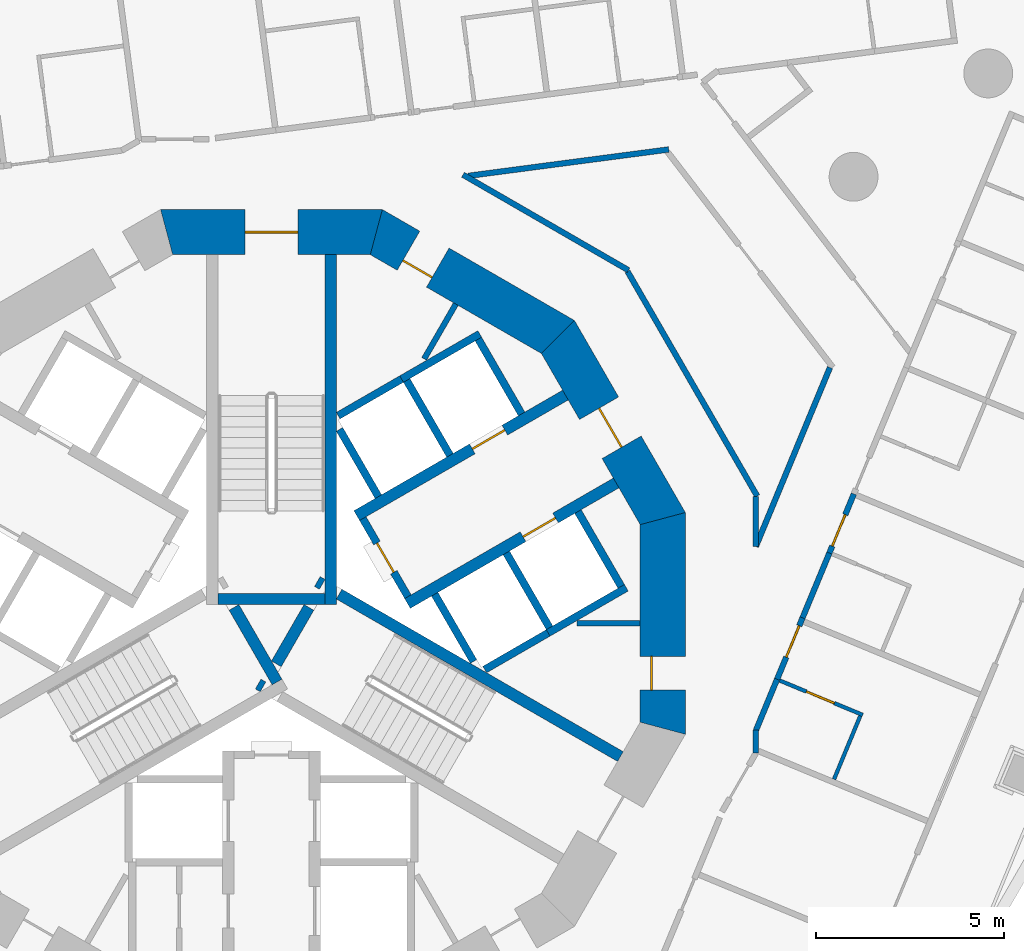
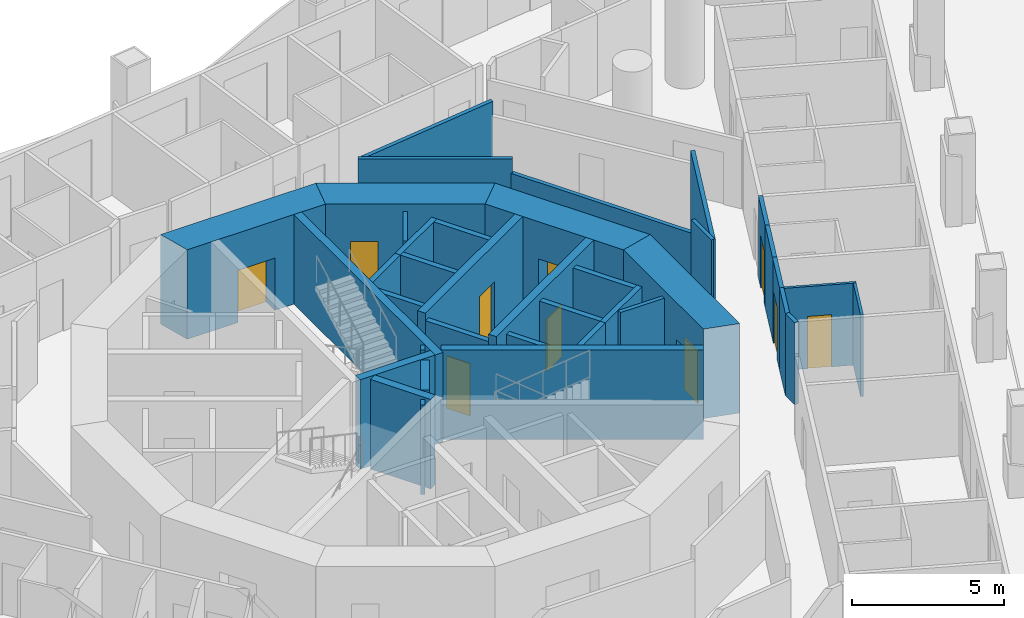
# One storey, part 9 of 20: 38 walls, 10 doors, 10 openings.
"""IFC4 building model written with IfcOpenShell, lengths in metres."""

from ifc_helpers import new_model, si_unit, direction, frame, frame_2d, origin, place, context, subcontext, project, spatial, polyline, rectangle, outline, extrude, material, layer, layer_set, type_object, element, fill, save


model = new_model("IFC4")

# Units and contexts
model_context = context("Model", 3, precision=1e-05, world=origin(), true_north=direction((0.0, 1.0)))
body_context = subcontext(model_context, "Body", "Model", "MODEL_VIEW")
ifc_project = project(units=[si_unit("LENGTHUNIT", "METRE"), si_unit("AREAUNIT", "SQUARE_METRE"), si_unit("VOLUMEUNIT", "CUBIC_METRE"), si_unit("PLANEANGLEUNIT", "RADIAN"), si_unit("MASSUNIT", "GRAM", prefix="KILO")], contexts=[model_context])

# Site, building, storey
site_placement = place(None, origin())
site = spatial("IfcSite", under=ifc_project, at=site_placement, CompositionType="ELEMENT")
building_placement = place(site_placement, origin())
building = spatial("IfcBuilding", under=site, at=building_placement, Name="Trine Commons Tower", CompositionType="ELEMENT")
storey_placement = place(building_placement, frame((0.0, 0.0, 50.39990234375)))
storey = spatial("IfcBuildingStorey", under=building, at=storey_placement, Name="L11", CompositionType="ELEMENT", Elevation=50.39990234375)

# Walls
ifc_material_1 = material(Name="Plasterboard partition on steel studs", Category="steel")
ifc_layer_1 = layer(ifc_material_1, 0.14990234375)
ifc_layer_set_1 = layer_set([ifc_layer_1], Name="Plasterboard partition on steel studs")
wall_type_1 = type_object("IfcWallType", Name="Core room partition 150 mm, EI 60", PredefinedType="PARTITIONING", material=ifc_layer_set_1)
wall_1_placement = place(storey_placement, frame((84.905029296875, 70.9970703125, 0.0), z_axis=(0.0, 0.0, 1.0), x_axis=(-0.500115728942, -0.865958577338, 0.0)))
element("IfcWall", 1, at=wall_1_placement, inside=storey, type_object=wall_type_1, Name="Core room partition L11", PredefinedType="PARTITIONING", context=body_context, shape_type="SweptSolid", body=[
    extrude(rectangle(XDim=1.68359375, YDim=0.14990234375, at=frame_2d((0.841796875, 0.0))), origin(), (0.0, 0.0, 1.0), 3.300048828125),
])
wall_2_placement = place(storey_placement, frame((89.81201171875, 62.5, 0.0), z_axis=(0.0, 0.0, 1.0), x_axis=(-1.0, 0.0, 0.0)))
element("IfcWall", 2, at=wall_2_placement, inside=storey, type_object=wall_type_1, Name="Core room partition L11", PredefinedType="PARTITIONING", context=body_context, shape_type="SweptSolid", body=[
    extrude(rectangle(XDim=1.68310546875, YDim=0.14990234375, at=frame_2d((0.841552734375, 0.0))), origin(), (0.0, 0.0, 1.0), 3.300048828125),
])

# Wall, opening, door
ifc_material_2 = material(Name="Fire-rated gypsum shaft wall system")
ifc_layer_2 = layer(ifc_material_2, 0.199951171875)
ifc_layer_set_2 = layer_set([ifc_layer_2], Name="Fire-rated gypsum shaft wall system")
wall_type_2 = type_object("IfcWallType", Name="Lobby end wall 200 mm, EI 120", PredefinedType="PARTITIONING", material=ifc_layer_set_2)
wall_3_placement = place(storey_placement, frame((83.631103515625, 63.2109375, 0.0), z_axis=(0.0, 0.0, 1.0), x_axis=(-0.50012165622, 0.865955154139, 0.0)))
wall_3 = element("IfcWall", 3, at=wall_3_placement, inside=storey, type_object=wall_type_2, Name="Lobby end wall L11", PredefinedType="PARTITIONING", context=body_context, shape_type="SweptSolid", body=[
    extrude(rectangle(XDim=2.39990234375, YDim=0.199951171875, at=frame_2d((1.199951171875, 0.0))), origin(), (0.0, 0.0, 1.0), 3.300048828125),
])
opening_1_placement = place(wall_3_placement, frame((0.749755859375, 0.0, 0.0)))
opening_1 = element("IfcOpeningElement", 4, at=opening_1_placement, cuts=wall_3, Name="Opening K06.05", PredefinedType="OPENING", context=body_context, shape_type="SweptSolid", body=[
    extrude(rectangle(XDim=0.89990234375, YDim=2.10009765625, at=frame_2d((0.449951171875, 1.050048828125))), frame((0.0, 0.10986328125, 0.0), z_axis=(0.0, -1.0, 0.0), x_axis=(1.0, 0.0, 0.0)), (0.0, 0.0, 1.0), 0.219970703125),
])
ifc_material_3 = material(Name="Steel door leaf, fire-rated", Category="steel")
door_type_1 = type_object("IfcDoorType", Name="Riser access door, single leaf 900 x 2100, FD60", OperationType="SINGLE_SWING_LEFT", PredefinedType="DOOR", material=ifc_material_3)
door_1_placement = place(opening_1_placement, frame((0.89990234375, 0.0, 0.0), z_axis=(0.0, 0.0, 1.0), x_axis=(-1.0, 0.0, 0.0)))
door_1 = element("IfcDoor", 5, at=door_1_placement, inside=storey, type_object=door_type_1, Name="Riser door, Electrical riser L11", OperationType="SINGLE_SWING_LEFT", OverallHeight=2.10009765625, OverallWidth=0.89990234375, PredefinedType="DOOR", context=body_context, shape_type="SweptSolid", body=[
    extrude(rectangle(XDim=0.89990234375, YDim=2.10009765625, at=frame_2d((0.449951171875, 1.050048828125))), frame((0.0, 0.02490234375, 0.0), z_axis=(0.0, -1.0, 0.0), x_axis=(1.0, 0.0, 0.0)), (0.0, 0.0, 1.0), 0.050048828125),
])
fill(opening_1, door_1)

ifc_material_4 = material(Name="Concrete C80/95", Category="concrete")
ifc_layer_3 = layer(ifc_material_4, 1.199951171875)
ifc_layer_set_3 = layer_set([ifc_layer_3], Name="Concrete C80/95")
wall_type_3 = type_object("IfcWallType", Name="RC shear wall 1200 mm, C80/95", PredefinedType="SHEAR", material=ifc_layer_set_3)
wall_4_placement = place(storey_placement, frame((90.41162109375, 59.549560546875, 0.0), z_axis=(0.0, 0.0, 1.0), x_axis=(0.0, 1.0, 0.0)))
wall_4 = element("IfcWall", 6, at=wall_4_placement, inside=storey, type_object=wall_type_3, Name="Core wall CWB-01 L11", PredefinedType="SHEAR", context=body_context, shape_type="SweptSolid", body=[
    extrude(outline(polyline([(0.0, -0.60009765625), (5.90087890625, -0.60009765625), (5.57958984375, 0.60009765625), (0.321533203125, 0.60009765625), (0.0, -0.60009765625)])), origin(), (0.0, 0.0, 1.0), 3.60009765625),
])
opening_2_placement = place(wall_4_placement, frame((1.175537109375, 0.0, 0.0)))
opening_2 = element("IfcOpeningElement", 7, at=opening_2_placement, cuts=wall_4, Name="Opening K06.17", PredefinedType="OPENING", context=body_context, shape_type="SweptSolid", body=[
    extrude(rectangle(XDim=0.89990234375, YDim=2.10009765625, at=frame_2d((0.449951171875, 1.050048828125))), frame((0.0, 0.60986328125, 0.0), z_axis=(0.0, -1.0, 0.0), x_axis=(1.0, 0.0, 0.0)), (0.0, 0.0, 1.0), 1.219970703125),
])
door_type_2 = type_object("IfcDoorType", Name="Core room door, single leaf 900 x 2100, FD30S", OperationType="SINGLE_SWING_LEFT", PredefinedType="DOOR", material=ifc_material_3)
door_2_placement = place(opening_2_placement, origin())
door_2 = element("IfcDoor", 8, at=door_2_placement, inside=storey, type_object=door_type_2, Name="Door to Linen store L11", OperationType="SINGLE_SWING_LEFT", OverallHeight=2.10009765625, OverallWidth=0.89990234375, PredefinedType="DOOR", context=body_context, shape_type="SweptSolid", body=[
    extrude(rectangle(XDim=0.89990234375, YDim=2.10009765625, at=frame_2d((0.449951171875, 1.050048828125))), frame((0.0, 0.3251953125, 0.0), z_axis=(0.0, -1.0, 0.0), x_axis=(1.0, 0.0, 0.0)), (0.0, 0.0, 1.0), 0.050048828125),
])
fill(opening_2, door_2)

wall_5_placement = place(storey_placement, frame((90.491943359375, 65.150390625, 0.0), z_axis=(0.0, 0.0, 1.0), x_axis=(-0.499979111662, 0.866037463336, 0.0)))
wall_5 = element("IfcWall", 9, at=wall_5_placement, inside=storey, type_object=wall_type_3, Name="Core wall CWB-02 L11", PredefinedType="SHEAR", context=body_context, shape_type="SweptSolid", body=[
    extrude(outline(polyline([(0.0, -0.60009765625), (5.901123046875, -0.60009765625), (5.57958984375, 0.60009765625), (0.321533203125, 0.60009765625), (0.0, -0.60009765625)])), origin(), (0.0, 0.0, 1.0), 3.60009765625),
])
opening_3_placement = place(wall_5_placement, frame((2.3505859375, 0.0, 0.0)))
opening_3 = element("IfcOpeningElement", 10, at=opening_3_placement, cuts=wall_5, Name="Opening K06.04", PredefinedType="OPENING", context=body_context, shape_type="SweptSolid", body=[
    extrude(rectangle(XDim=1.199951171875, YDim=2.10009765625, at=frame_2d((0.60009765625, 1.050048828125))), frame((0.0, 0.60986328125, 0.0), z_axis=(0.0, -1.0, 0.0), x_axis=(1.0, 0.0, 0.0)), (0.0, 0.0, 1.0), 1.219970703125),
])
ifc_material_5 = material(Name="Steel door leaves, fire-rated", Category="steel")
door_type_3 = type_object("IfcDoorType", Name="Lobby door, double leaf 1200 x 2100, FD60", OperationType="DOUBLE_DOOR_SINGLE_SWING", PredefinedType="DOOR", material=ifc_material_5)
door_3_placement = place(opening_3_placement, origin())
door_3 = element("IfcDoor", 11, at=door_3_placement, inside=storey, type_object=door_type_3, Name="Lobby door, Passenger lift lobby A L11", OperationType="DOUBLE_DOOR_SINGLE_SWING", OverallHeight=2.10009765625, OverallWidth=1.199951171875, PredefinedType="DOOR", context=body_context, shape_type="SweptSolid", body=[
    extrude(rectangle(XDim=1.199951171875, YDim=2.10009765625, at=frame_2d((0.60009765625, 1.050048828125))), frame((0.0, 0.02490234375, 0.0), z_axis=(0.0, -1.0, 0.0), x_axis=(1.0, 0.0, 0.0)), (0.0, 0.0, 1.0), 0.050048828125),
])
fill(opening_3, door_3)

wall_6_placement = place(storey_placement, frame((87.760986328125, 70.04150390625, 0.0), z_axis=(0.0, 0.0, 1.0), x_axis=(-0.866037463336, 0.499979111662, 0.0)))
wall_6 = element("IfcWall", 12, at=wall_6_placement, inside=storey, type_object=wall_type_3, Name="Core wall CWB-03 L11", PredefinedType="SHEAR", context=body_context, shape_type="SweptSolid", body=[
    extrude(outline(polyline([(0.0, -0.60009765625), (5.901123046875, -0.60009765625), (5.57958984375, 0.60009765625), (0.321533203125, 0.60009765625), (0.0, -0.60009765625)])), origin(), (0.0, 0.0, 1.0), 3.60009765625),
])
opening_4_placement = place(wall_6_placement, frame((3.8515625, 0.0, 0.0)))
opening_4 = element("IfcOpeningElement", 13, at=opening_4_placement, cuts=wall_6, Name="Opening K06.12", PredefinedType="OPENING", context=body_context, shape_type="SweptSolid", body=[
    extrude(rectangle(XDim=0.89990234375, YDim=2.10009765625, at=frame_2d((0.449951171875, 1.050048828125))), frame((0.0, 0.60986328125, 0.0), z_axis=(0.0, -1.0, 0.0), x_axis=(1.0, 0.0, 0.0)), (0.0, 0.0, 1.0), 1.219970703125),
])
door_4_placement = place(opening_4_placement, origin())
door_4 = element("IfcDoor", 14, at=door_4_placement, inside=storey, type_object=door_type_2, Name="Door to Cleaner's store L11", OperationType="SINGLE_SWING_RIGHT", OverallHeight=2.10009765625, OverallWidth=0.89990234375, PredefinedType="DOOR", context=body_context, shape_type="SweptSolid", body=[
    extrude(rectangle(XDim=0.89990234375, YDim=2.10009765625, at=frame_2d((0.449951171875, 1.050048828125))), frame((0.0, 0.3251953125, 0.0), z_axis=(0.0, -1.0, 0.0), x_axis=(1.0, 0.0, 0.0)), (0.0, 0.0, 1.0), 0.050048828125),
])
fill(opening_4, door_4)

wall_7_placement = place(storey_placement, frame((82.950439453125, 72.91162109375, 0.0), z_axis=(0.0, 0.0, 1.0), x_axis=(-1.0, 0.0, 0.0)))
wall_7 = element("IfcWall", 15, at=wall_7_placement, inside=storey, type_object=wall_type_3, Name="Core wall CWB-04 L11", PredefinedType="SHEAR", context=body_context, shape_type="SweptSolid", body=[
    extrude(outline(polyline([(0.0, -0.60009765625), (5.90087890625, -0.60009765625), (5.57958984375, 0.60009765625), (0.321533203125, 0.60009765625), (0.0, -0.60009765625)])), origin(), (0.0, 0.0, 1.0), 3.60009765625),
])
opening_5_placement = place(wall_7_placement, frame((2.25048828125, 0.0, 0.0)))
opening_5 = element("IfcOpeningElement", 16, at=opening_5_placement, cuts=wall_7, Name="Opening K06.01", PredefinedType="OPENING", context=body_context, shape_type="SweptSolid", body=[
    extrude(rectangle(XDim=1.39990234375, YDim=2.10009765625, at=frame_2d((0.699951171875, 1.050048828125))), frame((0.0, 0.60986328125, 0.0), z_axis=(0.0, -1.0, 0.0), x_axis=(1.0, 0.0, 0.0)), (0.0, 0.0, 1.0), 1.219970703125),
])
door_type_4 = type_object("IfcDoorType", Name="Stair door, double leaf 1400 x 2100, FD90", OperationType="DOUBLE_DOOR_SINGLE_SWING", PredefinedType="DOOR", material=ifc_material_5)
door_5_placement = place(opening_5_placement, origin())
door_5 = element("IfcDoor", 17, at=door_5_placement, inside=storey, type_object=door_type_4, Name="Stair door to Exit stair ST1A L11", OperationType="DOUBLE_DOOR_SINGLE_SWING", OverallHeight=2.10009765625, OverallWidth=1.39990234375, PredefinedType="DOOR", context=body_context, shape_type="SweptSolid", body=[
    extrude(rectangle(XDim=1.39990234375, YDim=2.10009765625, at=frame_2d((0.699951171875, 1.050048828125))), frame((0.0, 0.02490234375, 0.0), z_axis=(0.0, -1.0, 0.0), x_axis=(1.0, 0.0, 0.0)), (0.0, 0.0, 1.0), 0.050048828125),
])
fill(opening_5, door_5)

ifc_layer_4 = layer(ifc_material_4, 0.300048828125)
ifc_layer_set_4 = layer_set([ifc_layer_4], Name="Concrete C80/95")
wall_type_4 = type_object("IfcWallType", Name="RC shear wall 300 mm, C80/95", PredefinedType="SHEAR", material=ifc_layer_set_4)
wall_8_placement = place(storey_placement, frame((82.26904296875, 65.368896484375, 0.0), z_axis=(0.0, 0.0, 1.0), x_axis=(0.866022631842, 0.500004801114, 0.0)))
wall_8 = element("IfcWall", 18, at=wall_8_placement, inside=storey, type_object=wall_type_4, Name="Core cross wall SWA-05 L11", PredefinedType="SHEAR", context=body_context, shape_type="SweptSolid", body=[
    extrude(rectangle(XDim=6.412109375, YDim=0.300048828125, at=frame_2d((3.2060546875, 0.0))), origin(), (0.0, 0.0, 1.0), 3.60009765625),
])
opening_6_placement = place(wall_8_placement, frame((3.55029296875, 0.0, 0.0)))
opening_6 = element("IfcOpeningElement", 19, at=opening_6_placement, cuts=wall_8, Name="Opening LD1", PredefinedType="OPENING", context=body_context, shape_type="SweptSolid", body=[
    extrude(rectangle(XDim=1.0, YDim=2.10009765625, at=frame_2d((0.5, 1.050048828125))), frame((0.0, 0.159912109375, 0.0), z_axis=(0.0, -1.0, 0.0), x_axis=(1.0, 0.0, 0.0)), (0.0, 0.0, 1.0), 0.320068359375),
])
ifc_material_6 = material(Name="Stainless steel sliding door leaves", Category="steel")
door_type_5 = type_object("IfcDoorType", Name="Lift landing door, centre-opening sliding 1000 x 2100, FD90", OperationType="DOUBLE_DOOR_SLIDING", PredefinedType="DOOR", material=ifc_material_6)
door_6_placement = place(opening_6_placement, origin())
door_6 = element("IfcDoor", 20, at=door_6_placement, inside=storey, type_object=door_type_5, Name="Lift landing door LR1 L11", OperationType="DOUBLE_DOOR_SLIDING", OverallHeight=2.10009765625, OverallWidth=1.0, PredefinedType="DOOR", context=body_context, shape_type="SweptSolid", body=[
    extrude(rectangle(XDim=1.0, YDim=2.10009765625, at=frame_2d((0.5, 1.050048828125))), frame((0.0, 0.02490234375, 0.0), z_axis=(0.0, -1.0, 0.0), x_axis=(1.0, 0.0, 0.0)), (0.0, 0.0, 1.0), 0.050048828125),
])
fill(opening_6, door_6)

wall_9_placement = place(storey_placement, frame((83.618896484375, 63.031005859375, 0.0), z_axis=(0.0, 0.0, 1.0), x_axis=(0.866032150378, 0.499988314375, 0.0)))
wall_9 = element("IfcWall", 21, at=wall_9_placement, inside=storey, type_object=wall_type_4, Name="Core cross wall SWA-06 L11", PredefinedType="SHEAR", context=body_context, shape_type="SweptSolid", body=[
    extrude(rectangle(XDim=6.412353515625, YDim=0.300048828125, at=frame_2d((3.2060546875, 0.0))), origin(), (0.0, 0.0, 1.0), 3.60009765625),
])
opening_7_placement = place(wall_9_placement, frame((3.55029296875, 0.0, 0.0)))
opening_7 = element("IfcOpeningElement", 22, at=opening_7_placement, cuts=wall_9, Name="Opening LD2", PredefinedType="OPENING", context=body_context, shape_type="SweptSolid", body=[
    extrude(rectangle(XDim=1.0, YDim=2.10009765625, at=frame_2d((0.5, 1.050048828125))), frame((0.0, 0.159912109375, 0.0), z_axis=(0.0, -1.0, 0.0), x_axis=(1.0, 0.0, 0.0)), (0.0, 0.0, 1.0), 0.320068359375),
])
door_7_placement = place(opening_7_placement, origin())
door_7 = element("IfcDoor", 23, at=door_7_placement, inside=storey, type_object=door_type_5, Name="Lift landing door LR2 L11", OperationType="DOUBLE_DOOR_SLIDING", OverallHeight=2.10009765625, OverallWidth=1.0, PredefinedType="DOOR", context=body_context, shape_type="SweptSolid", body=[
    extrude(rectangle(XDim=1.0, YDim=2.10009765625, at=frame_2d((0.5, 1.050048828125))), frame((0.0, 0.02490234375, 0.0), z_axis=(0.0, -1.0, 0.0), x_axis=(1.0, 0.0, 0.0)), (0.0, 0.0, 1.0), 0.050048828125),
])
fill(opening_7, door_7)

# Walls
wall_10_placement = place(storey_placement, frame((79.0029296875, 62.926025390625, 0.0), z_axis=(0.0, 0.0, 1.0), x_axis=(0.499965247104, -0.866045467449, 0.0)))
element("IfcWall", 24, at=wall_10_placement, inside=storey, type_object=wall_type_4, Name="Core cross wall SWA-10 L11", PredefinedType="SHEAR", context=body_context, shape_type="SweptSolid", body=[
    extrude(rectangle(XDim=2.292236328125, YDim=0.300048828125, at=frame_2d((1.14599609375, 0.0))), origin(), (0.0, 0.0, 1.0), 3.60009765625),
])
wall_11_placement = place(storey_placement, frame((79.64599609375, 60.885986328125, 0.0), z_axis=(0.0, 0.0, 1.0), x_axis=(0.867331893649, -0.497730234424, 0.0)))
element("IfcWall", 25, at=wall_11_placement, inside=storey, type_object=wall_type_4, Name="Core cross wall SWA-11 L11", PredefinedType="SHEAR", context=body_context, shape_type="SweptSolid", body=[
    extrude(rectangle(XDim=0.148681640625, YDim=0.300048828125, at=frame_2d((0.07421875, 0.0))), origin(), (0.0, 0.0, 1.0), 3.60009765625),
])
wall_12_placement = place(storey_placement, frame((80.1298828125, 61.424072265625, 0.0), z_axis=(0.0, 0.0, 1.0), x_axis=(0.500014901547, 0.866016800201, 0.0)))
element("IfcWall", 26, at=wall_12_placement, inside=storey, type_object=wall_type_4, Name="Core cross wall SWA-12 L11", PredefinedType="SHEAR", context=body_context, shape_type="SweptSolid", body=[
    extrude(rectangle(XDim=1.734375, YDim=0.300048828125, at=frame_2d((0.8671875, 0.0))), origin(), (0.0, 0.0, 1.0), 3.60009765625),
])
wall_13_placement = place(storey_placement, frame((81.220947265625, 63.614013671875, 0.0), z_axis=(0.0, 0.0, 1.0), x_axis=(0.867737973955, -0.497021939713, 0.0)))
element("IfcWall", 27, at=wall_13_placement, inside=storey, type_object=wall_type_4, Name="Core cross wall SWA-15 L11", PredefinedType="SHEAR", context=body_context, shape_type="SweptSolid", body=[
    extrude(rectangle(XDim=0.14892578125, YDim=0.300048828125, at=frame_2d((0.074462890625, 0.0))), origin(), (0.0, 0.0, 1.0), 3.60009765625),
])
wall_14_placement = place(storey_placement, frame((81.425048828125, 63.15087890625, 0.0), z_axis=(0.0, 0.0, 1.0), x_axis=(-1.0, 0.0, 0.0)))
element("IfcWall", 28, at=wall_14_placement, inside=storey, type_object=wall_type_4, Name="Core cross wall SWA-16 L11", PredefinedType="SHEAR", context=body_context, shape_type="SweptSolid", body=[
    extrude(rectangle(XDim=2.85009765625, YDim=0.300048828125, at=frame_2d((1.425048828125, 0.0))), origin(), (0.0, 0.0, 1.0), 3.60009765625),
])
wall_15_placement = place(storey_placement, frame((81.574951171875, 63.0009765625, 0.0), z_axis=(0.0, 0.0, 1.0), x_axis=(0.0, 1.0, 0.0)))
element("IfcWall", 29, at=wall_15_placement, inside=storey, type_object=wall_type_4, Name="Core cross wall SWA-17 L11", PredefinedType="SHEAR", context=body_context, shape_type="SweptSolid", body=[
    extrude(rectangle(XDim=9.31103515625, YDim=0.300048828125, at=frame_2d((4.655517578125, 0.0))), origin(), (0.0, 0.0, 1.0), 3.60009765625),
])
wall_16_placement = place(storey_placement, frame((81.800048828125, 63.280029296875, 0.0), z_axis=(0.0, 0.0, 1.0), x_axis=(0.865965399159, -0.500103916661, 0.0)))
element("IfcWall", 30, at=wall_16_placement, inside=storey, type_object=wall_type_4, Name="Core cross wall SWA-18 L11", PredefinedType="SHEAR", context=body_context, shape_type="SweptSolid", body=[
    extrude(rectangle(XDim=8.642333984375, YDim=0.300048828125, at=frame_2d((4.3212890625, 0.0))), origin(), (0.0, 0.0, 1.0), 3.60009765625),
])
ifc_layer_5 = layer(ifc_material_2, 0.199951171875)
ifc_layer_set_5 = layer_set([ifc_layer_5], Name="Fire-rated gypsum shaft wall system")
wall_type_5 = type_object("IfcWallType", Name="Shaft wall 200 mm, EI 120", PredefinedType="PARTITIONING", material=ifc_layer_set_5)
wall_17_placement = place(storey_placement, frame((81.77490234375, 68.028076171875, 0.0), z_axis=(0.0, 0.0, 1.0), x_axis=(0.866052014814, 0.499953905513, 0.0)))
element("IfcWall", 31, at=wall_17_placement, inside=storey, type_object=wall_type_5, Name="Shaft wall L11", PredefinedType="PARTITIONING", context=body_context, shape_type="SweptSolid", body=[
    extrude(rectangle(XDim=1.947998046875, YDim=0.199951171875, at=frame_2d((0.97412109375, 0.0))), origin(), (0.0, 0.0, 1.0), 3.300048828125),
])
wall_18_placement = place(storey_placement, frame((82.843994140625, 65.8740234375, 0.0), z_axis=(0.0, 0.0, 1.0), x_axis=(-0.499865770674, 0.866102887253, 0.0)))
element("IfcWall", 32, at=wall_18_placement, inside=storey, type_object=wall_type_5, Name="Shaft wall L11", PredefinedType="PARTITIONING", context=body_context, shape_type="SweptSolid", body=[
    extrude(rectangle(XDim=2.064453125, YDim=0.199951171875, at=frame_2d((1.0322265625, 0.0))), origin(), (0.0, 0.0, 1.0), 3.300048828125),
])
wall_19_placement = place(storey_placement, frame((83.4619140625, 69.001953125, 0.0), z_axis=(0.0, 0.0, 1.0), x_axis=(0.866202511239, 0.499693115345, 0.0)))
element("IfcWall", 33, at=wall_19_placement, inside=storey, type_object=wall_type_5, Name="Shaft wall L11", PredefinedType="PARTITIONING", context=body_context, shape_type="SweptSolid", body=[
    extrude(rectangle(XDim=2.4013671875, YDim=0.199951171875, at=frame_2d((1.20068359375, 0.0))), origin(), (0.0, 0.0, 1.0), 3.300048828125),
])
wall_20_placement = place(storey_placement, frame((84.343994140625, 63.27587890625, 0.0), z_axis=(0.0, 0.0, 1.0), x_axis=(0.500271688072, -0.86586848777, 0.0)))
element("IfcWall", 34, at=wall_20_placement, inside=storey, type_object=wall_type_5, Name="Shaft wall L11", PredefinedType="PARTITIONING", context=body_context, shape_type="SweptSolid", body=[
    extrude(rectangle(XDim=2.064697265625, YDim=0.199951171875, at=frame_2d((1.0322265625, 0.0))), origin(), (0.0, 0.0, 1.0), 3.300048828125),
])
wall_21_placement = place(storey_placement, frame((84.7490234375, 66.97412109375, 0.0), z_axis=(0.0, 0.0, 1.0), x_axis=(-0.500136062276, 0.86594683394, 0.0)))
element("IfcWall", 35, at=wall_21_placement, inside=storey, type_object=wall_type_5, Name="Shaft wall L11", PredefinedType="PARTITIONING", context=body_context, shape_type="SweptSolid", body=[
    extrude(rectangle(XDim=2.299072265625, YDim=0.199951171875, at=frame_2d((1.1494140625, 0.0))), origin(), (0.0, 0.0, 1.0), 3.300048828125),
])
wall_22_placement = place(storey_placement, frame((85.675048828125, 61.27294921875, 0.0), z_axis=(0.0, 0.0, 1.0), x_axis=(0.865780634835, 0.500423712812, 0.0)))
element("IfcWall", 36, at=wall_22_placement, inside=storey, type_object=wall_type_5, Name="Shaft wall L11", PredefinedType="PARTITIONING", context=body_context, shape_type="SweptSolid", body=[
    extrude(rectangle(XDim=1.948486328125, YDim=0.199951171875, at=frame_2d((0.97412109375, 0.0))), origin(), (0.0, 0.0, 1.0), 3.300048828125),
])
wall_23_placement = place(storey_placement, frame((86.2490234375, 64.3759765625, 0.0), z_axis=(0.0, 0.0, 1.0), x_axis=(0.500136062276, -0.86594683394, 0.0)))
element("IfcWall", 37, at=wall_23_placement, inside=storey, type_object=wall_type_5, Name="Shaft wall L11", PredefinedType="PARTITIONING", context=body_context, shape_type="SweptSolid", body=[
    extrude(rectangle(XDim=2.299072265625, YDim=0.199951171875, at=frame_2d((1.1494140625, 0.0))), origin(), (0.0, 0.0, 1.0), 3.300048828125),
])
wall_24_placement = place(storey_placement, frame((86.655029296875, 68.073974609375, 0.0), z_axis=(0.0, 0.0, 1.0), x_axis=(-0.500215680983, 0.865900844496, 0.0)))
element("IfcWall", 38, at=wall_24_placement, inside=storey, type_object=wall_type_5, Name="Shaft wall L11", PredefinedType="PARTITIONING", context=body_context, shape_type="SweptSolid", body=[
    extrude(rectangle(XDim=2.29931640625, YDim=0.199951171875, at=frame_2d((1.149658203125, 0.0))), origin(), (0.0, 0.0, 1.0), 3.300048828125),
])
wall_25_placement = place(storey_placement, frame((87.362060546875, 62.248046875, 0.0), z_axis=(0.0, 0.0, 1.0), x_axis=(0.866177122335, 0.499737123639, 0.0)))
element("IfcWall", 39, at=wall_25_placement, inside=storey, type_object=wall_type_5, Name="Shaft wall L11", PredefinedType="PARTITIONING", context=body_context, shape_type="SweptSolid", body=[
    extrude(rectangle(XDim=2.401123046875, YDim=0.199951171875, at=frame_2d((1.20068359375, 0.0))), origin(), (0.0, 0.0, 1.0), 3.300048828125),
])
wall_26_placement = place(storey_placement, frame((88.155029296875, 65.47607421875, 0.0), z_axis=(0.0, 0.0, 1.0), x_axis=(0.500136062276, -0.86594683394, 0.0)))
element("IfcWall", 40, at=wall_26_placement, inside=storey, type_object=wall_type_5, Name="Shaft wall L11", PredefinedType="PARTITIONING", context=body_context, shape_type="SweptSolid", body=[
    extrude(rectangle(XDim=2.299072265625, YDim=0.199951171875, at=frame_2d((1.1494140625, 0.0))), origin(), (0.0, 0.0, 1.0), 3.300048828125),
])
ifc_material_7 = material(Name="Gypsum plasterboard on steel stud", Category="steel")
ifc_layer_6 = layer(ifc_material_7, 0.14990234375)
ifc_layer_set_6 = layer_set([ifc_layer_6], Name="Gypsum plasterboard on steel stud")
wall_type_6 = type_object("IfcWallType", Name="Unit and corridor wall 150 mm, EI 60", PredefinedType="PARTITIONING", material=ifc_layer_set_6)
wall_27_placement = place(storey_placement, frame((85.095947265625, 74.4384765625, 0.0), z_axis=(0.0, 0.0, 1.0), x_axis=(0.866036051865, -0.49998155653, 0.0)))
element("IfcWall", 41, at=wall_27_placement, inside=storey, type_object=wall_type_6, Name="Partition 102", PredefinedType="PARTITIONING", context=body_context, shape_type="SweptSolid", body=[
    extrude(rectangle(XDim=5.084228515625, YDim=0.14990234375, at=frame_2d((2.5419921875, 0.0))), origin(), (0.0, 0.0, 1.0), 3.300048828125),
])
wall_28_placement = place(storey_placement, frame((85.23828125, 74.40869140625, 0.0), z_axis=(0.0, 0.0, 1.0), x_axis=(0.991440693098, 0.130557849512, 0.0)))
element("IfcWall", 42, at=wall_28_placement, inside=storey, type_object=wall_type_6, Name="Partition 104", PredefinedType="PARTITIONING", context=body_context, shape_type="SweptSolid", body=[
    extrude(rectangle(XDim=5.378173828125, YDim=0.14990234375, at=frame_2d((2.68896484375, 0.0))), origin(), (0.0, 0.0, 1.0), 3.300048828125),
])
wall_29_placement = place(storey_placement, frame((89.471435546875, 71.868896484375, 0.0), z_axis=(0.0, 0.0, 1.0), x_axis=(0.50000193825, -0.866024284732, 0.0)))
element("IfcWall", 43, at=wall_29_placement, inside=storey, type_object=wall_type_6, Name="Partition 122", PredefinedType="PARTITIONING", context=body_context, shape_type="SweptSolid", body=[
    extrude(rectangle(XDim=6.90625, YDim=0.14990234375, at=frame_2d((3.453125, 0.0))), origin(), (0.0, 0.0, 1.0), 2.75),
])
wall_30_placement = place(storey_placement, frame((92.886962890625, 59.053955078125, 0.0), z_axis=(0.0, 0.0, 1.0), x_axis=(0.0, 1.0, 0.0)))
element("IfcWall", 44, at=wall_30_placement, inside=storey, type_object=wall_type_6, Name="Partition 134", PredefinedType="PARTITIONING", context=body_context, shape_type="SweptSolid", body=[
    extrude(rectangle(XDim=0.60400390625, YDim=0.14990234375, at=frame_2d((0.302001953125, 0.0))), origin(), (0.0, 0.0, 1.0), 3.300048828125),
])
wall_31_placement = place(storey_placement, frame((92.886962890625, 59.64599609375, 0.0), z_axis=(0.0, 0.0, 1.0), x_axis=(0.382283814647, 0.924044958354, 0.0)))
element("IfcWall", 45, at=wall_31_placement, inside=storey, type_object=wall_type_6, Name="Partition 136", PredefinedType="PARTITIONING", context=body_context, shape_type="SweptSolid", body=[
    extrude(rectangle(XDim=1.48046875, YDim=0.14990234375, at=frame_2d((0.740234375, 0.0))), origin(), (0.0, 0.0, 1.0), 3.300048828125),
])
wall_32_placement = place(storey_placement, frame((92.886962890625, 64.5419921875, 0.0), z_axis=(0.0, 0.0, 1.0), x_axis=(0.0, 1.0, 0.0)))
element("IfcWall", 46, at=wall_32_placement, inside=storey, type_object=wall_type_6, Name="Partition 137", PredefinedType="PARTITIONING", context=body_context, shape_type="SweptSolid", body=[
    extrude(rectangle(XDim=1.3359375, YDim=0.14990234375, at=frame_2d((0.66796875, 0.0))), origin(), (0.0, 0.0, 1.0), 3.300048828125),
])
wall_33_placement = place(storey_placement, frame((92.886962890625, 64.5458984375, 0.0), z_axis=(0.0, 0.0, 1.0), x_axis=(0.382690656651, 0.923876540081, 0.0)))
element("IfcWall", 47, at=wall_33_placement, inside=storey, type_object=wall_type_6, Name="Partition 138", PredefinedType="PARTITIONING", context=body_context, shape_type="SweptSolid", body=[
    extrude(rectangle(XDim=5.154052734375, YDim=0.14990234375, at=frame_2d((2.5771484375, 0.0))), origin(), (0.0, 0.0, 1.0), 3.300048828125),
])

# Wall, opening, door
wall_34_placement = place(storey_placement, frame((93.449951171875, 61.006103515625, 0.0), z_axis=(0.0, 0.0, 1.0), x_axis=(0.382917833313, 0.923782405619, 0.0)))
wall_34 = element("IfcWall", 48, at=wall_34_placement, inside=storey, type_object=wall_type_6, Name="Partition 139", PredefinedType="PARTITIONING", context=body_context, shape_type="SweptSolid", body=[
    extrude(rectangle(XDim=1.777587890625, YDim=0.14990234375, at=frame_2d((0.888671875, 0.0))), origin(), (0.0, 0.0, 1.0), 3.300048828125),
])
opening_8_placement = place(wall_34_placement, frame((0.648193359375, 0.0, 0.0)))
opening_8 = element("IfcOpeningElement", 49, at=opening_8_placement, cuts=wall_34, Name="Opening D-2A21", PredefinedType="OPENING", context=body_context, shape_type="SweptSolid", body=[
    extrude(rectangle(XDim=0.89990234375, YDim=2.10009765625, at=frame_2d((0.449951171875, 1.050048828125))), frame((0.0, 0.0849609375, 0.0), z_axis=(0.0, -1.0, 0.0), x_axis=(1.0, 0.0, 0.0)), (0.0, 0.0, 1.0), 0.169921875),
])
ifc_material_8 = material(Name="Timber fire door set", Category="wood")
door_type_6 = type_object("IfcDoorType", Name="Bedroom door 900 x 2100, FD30S", OperationType="NOTDEFINED", PredefinedType="DOOR", material=ifc_material_8)
door_8_placement = place(opening_8_placement, frame((0.89990234375, 0.0, 0.0), z_axis=(0.0, 0.0, 1.0), x_axis=(-1.0, 0.0, 0.0)))
door_8 = element("IfcDoor", 50, at=door_8_placement, inside=storey, type_object=door_type_6, Name="Door D-2A21", OperationType="SINGLE_SWING_LEFT", OverallHeight=2.10009765625, OverallWidth=0.89990234375, PredefinedType="DOOR", context=body_context, shape_type="SweptSolid", body=[
    extrude(rectangle(XDim=0.89990234375, YDim=2.10009765625, at=frame_2d((0.449951171875, 1.050048828125))), frame((0.0, 0.02490234375, 0.0), z_axis=(0.0, -1.0, 0.0), x_axis=(1.0, 0.0, 0.0)), (0.0, 0.0, 1.0), 0.050048828125),
])
fill(opening_8, door_8)

# Wall
wall_35_placement = place(storey_placement, frame((94.097900390625, 62.571044921875, 0.0), z_axis=(0.0, 0.0, 1.0), x_axis=(0.382863290068, 0.923805012499, 0.0)))
element("IfcWall", 51, at=wall_35_placement, inside=storey, type_object=wall_type_6, Name="Partition 143", PredefinedType="PARTITIONING", context=body_context, shape_type="SweptSolid", body=[
    extrude(rectangle(XDim=2.00927734375, YDim=0.14990234375, at=frame_2d((1.004638671875, 0.0))), origin(), (0.0, 0.0, 1.0), 3.300048828125),
])

# Wall, opening, door
wall_36_placement = place(storey_placement, frame((94.844970703125, 64.373046875, 0.0), z_axis=(0.0, 0.0, 1.0), x_axis=(0.382668597728, 0.92388567708, 0.0)))
wall_36 = element("IfcWall", 52, at=wall_36_placement, inside=storey, type_object=wall_type_6, Name="Partition 146", PredefinedType="PARTITIONING", context=body_context, shape_type="SweptSolid", body=[
    extrude(rectangle(XDim=1.701416015625, YDim=0.14990234375, at=frame_2d((0.8505859375, 0.0))), origin(), (0.0, 0.0, 1.0), 3.300048828125),
])
opening_9_placement = place(wall_36_placement, frame((0.203369140625, 0.0, 0.0)))
opening_9 = element("IfcOpeningElement", 53, at=opening_9_placement, cuts=wall_36, Name="Opening D-2A20", PredefinedType="OPENING", context=body_context, shape_type="SweptSolid", body=[
    extrude(rectangle(XDim=0.89990234375, YDim=2.10009765625, at=frame_2d((0.449951171875, 1.050048828125))), frame((0.0, 0.0849609375, 0.0), z_axis=(0.0, -1.0, 0.0), x_axis=(1.0, 0.0, 0.0)), (0.0, 0.0, 1.0), 0.169921875),
])
door_9_placement = place(opening_9_placement, frame((0.89990234375, 0.0, 0.0), z_axis=(0.0, 0.0, 1.0), x_axis=(-1.0, 0.0, 0.0)))
door_9 = element("IfcDoor", 54, at=door_9_placement, inside=storey, type_object=door_type_6, Name="Door D-2A20", OperationType="SINGLE_SWING_RIGHT", OverallHeight=2.10009765625, OverallWidth=0.89990234375, PredefinedType="DOOR", context=body_context, shape_type="SweptSolid", body=[
    extrude(rectangle(XDim=0.89990234375, YDim=2.10009765625, at=frame_2d((0.449951171875, 1.050048828125))), frame((0.0, 0.02490234375, 0.0), z_axis=(0.0, -1.0, 0.0), x_axis=(1.0, 0.0, 0.0)), (0.0, 0.0, 1.0), 0.050048828125),
])
fill(opening_9, door_9)

ifc_layer_7 = layer(ifc_material_7, 0.10009765625)
ifc_layer_set_7 = layer_set([ifc_layer_7], Name="Gypsum plasterboard on steel stud")
wall_type_7 = type_object("IfcWallType", Name="Unit partition 100 mm, no rating", PredefinedType="PARTITIONING", material=ifc_layer_set_7)
wall_37_placement = place(storey_placement, frame((93.521240234375, 60.981201171875, 0.0), z_axis=(0.0, 0.0, 1.0), x_axis=(0.9238961731, -0.38264325596, 0.0)))
wall_37 = element("IfcWall", 55, at=wall_37_placement, inside=storey, type_object=wall_type_7, Name="Partition 140", PredefinedType="PARTITIONING", context=body_context, shape_type="SweptSolid", body=[
    extrude(rectangle(XDim=2.39208984375, YDim=0.10009765625, at=frame_2d((1.196044921875, 0.0))), origin(), (0.0, 0.0, 1.0), 3.300048828125),
])
opening_10_placement = place(wall_37_placement, frame((0.77099609375, 0.0, 0.0)))
opening_10 = element("IfcOpeningElement", 56, at=opening_10_placement, cuts=wall_37, Name="Opening D-2A53", PredefinedType="OPENING", context=body_context, shape_type="SweptSolid", body=[
    extrude(rectangle(XDim=0.800048828125, YDim=2.10009765625, at=frame_2d((0.39990234375, 1.050048828125))), frame((0.0, 0.06005859375, 0.0), z_axis=(0.0, -1.0, 0.0), x_axis=(1.0, 0.0, 0.0)), (0.0, 0.0, 1.0), 0.1201171875),
])
ifc_material_9 = material(Name="Painted timber", Category="wood")
door_type_7 = type_object("IfcDoorType", Name="Internal door 800 x 2100, NOT RATED", OperationType="NOTDEFINED", PredefinedType="DOOR", material=ifc_material_9)
door_10_placement = place(opening_10_placement, origin())
door_10 = element("IfcDoor", 57, at=door_10_placement, inside=storey, type_object=door_type_7, Name="Door D-2A53", OperationType="SINGLE_SWING_LEFT", OverallHeight=2.10009765625, OverallWidth=0.800048828125, PredefinedType="DOOR", context=body_context, shape_type="SweptSolid", body=[
    extrude(rectangle(XDim=0.800048828125, YDim=2.10009765625, at=frame_2d((0.39990234375, 1.050048828125))), frame((0.0, 0.02490234375, 0.0), z_axis=(0.0, -1.0, 0.0), x_axis=(1.0, 0.0, 0.0)), (0.0, 0.0, 1.0), 0.050048828125),
])
fill(opening_10, door_10)

# Wall
wall_38_placement = place(storey_placement, frame((94.9677734375, 58.353271484375, 0.0), z_axis=(0.0, 0.0, 1.0), x_axis=(0.382714221705, 0.923866778548, 0.0)))
element("IfcWall", 58, at=wall_38_placement, inside=storey, type_object=wall_type_7, Name="Partition 148", PredefinedType="PARTITIONING", context=body_context, shape_type="SweptSolid", body=[
    extrude(rectangle(XDim=1.824462890625, YDim=0.10009765625, at=frame_2d((0.912109375, 0.0))), origin(), (0.0, 0.0, 1.0), 3.300048828125),
])

save(model, "model.ifc")
